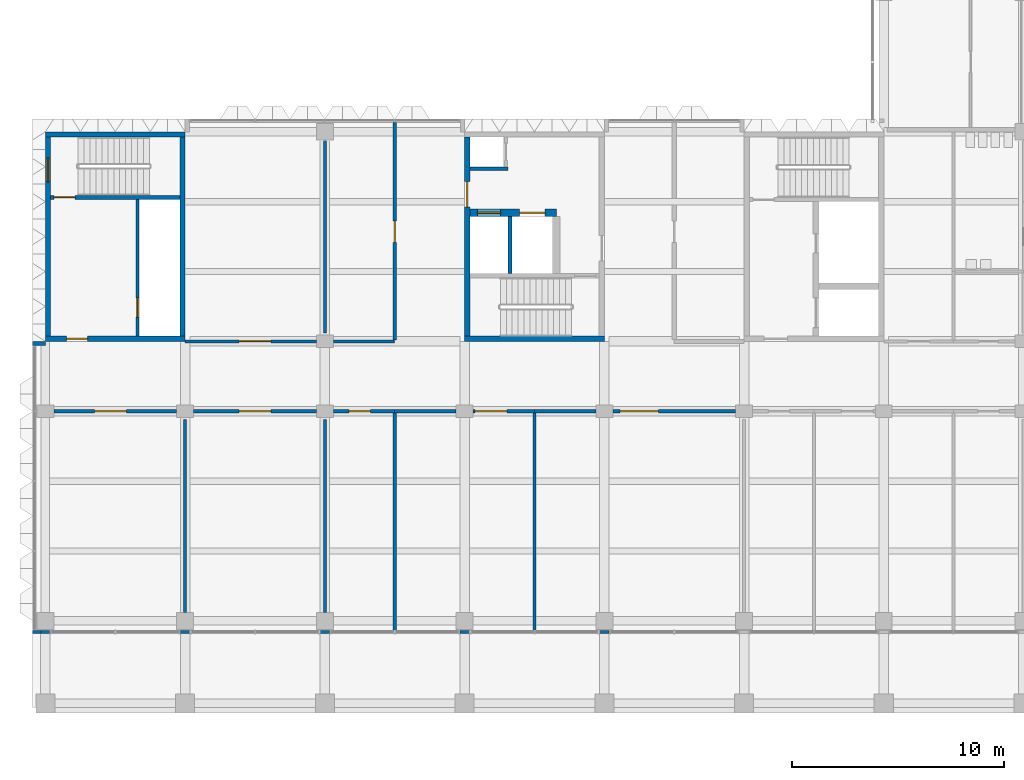
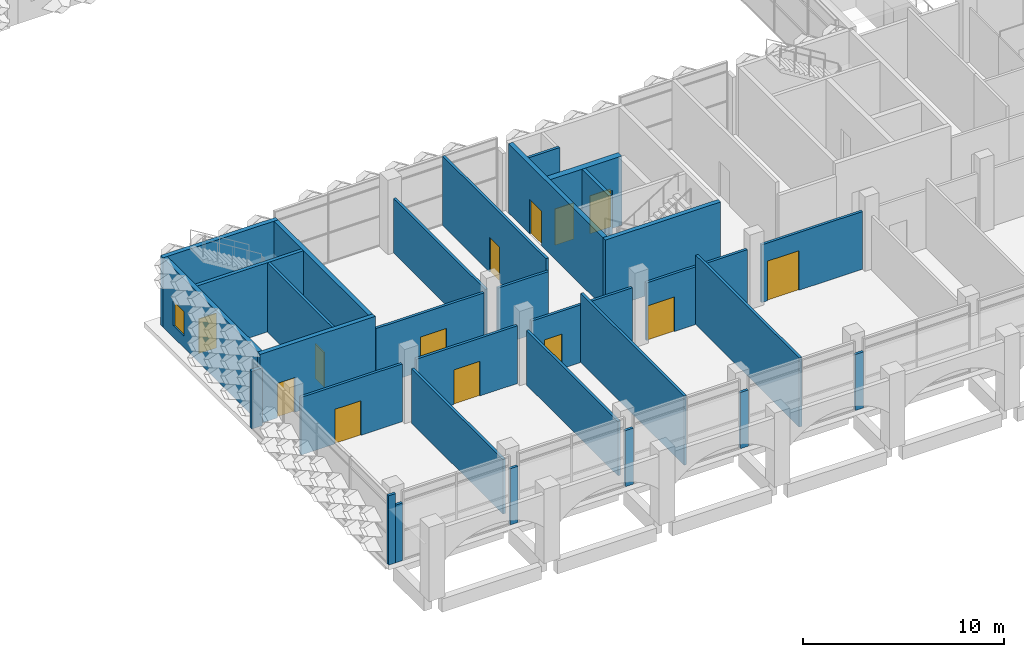
# One storey, part 26 of 87: 33 walls, 13 doors, 1 window, 14 openings.
"""IFC4 building model written with IfcOpenShell, lengths in metres."""

from ifc_helpers import new_model, si_unit, direction, frame, frame_2d, origin, place, context, subcontext, project, spatial, rectangle, extrude, material, layer, layer_set, type_object, element, fill, save


model = new_model("IFC4")

# Units and contexts
model_context = context("Model", 3, precision=1e-05, world=origin(), true_north=direction((0.0, 1.0)))
body_context = subcontext(model_context, "Body", "Model", "MODEL_VIEW")
ifc_project = project(units=[si_unit("LENGTHUNIT", "METRE"), si_unit("AREAUNIT", "SQUARE_METRE"), si_unit("VOLUMEUNIT", "CUBIC_METRE"), si_unit("PLANEANGLEUNIT", "RADIAN"), si_unit("MASSUNIT", "GRAM", prefix="KILO")], contexts=[model_context])

# Site, building, storey
site_placement = place(None, origin())
site = spatial("IfcSite", under=ifc_project, at=site_placement, CompositionType="ELEMENT")
building_placement = place(site_placement, origin())
building = spatial("IfcBuilding", under=site, at=building_placement, Name="Lantern Court Research Institute", CompositionType="ELEMENT")
storey_placement = place(building_placement, frame((0.0, 0.0, 5.39990234375)))
storey = spatial("IfcBuildingStorey", under=building, at=storey_placement, Name="L01", CompositionType="ELEMENT", Elevation=5.39990234375)

# Walls
ifc_material_1 = material(Name="Aluminium alloy 6063-T6", Category="aluminium")
ifc_layer_1 = layer(ifc_material_1, 0.14990234375)
ifc_layer_set_1 = layer_set([ifc_layer_1], Name="Aluminium alloy 6063-T6")
wall_type_1 = type_object("IfcWallType", Name="Entrance screen wall 150 aluminium", PredefinedType="STANDARD", material=ifc_layer_set_1)
wall_1_placement = place(storey_placement, frame((-0.199951171875, -0.52490234375, 0.0), z_axis=(0.0, 0.0, 1.0), x_axis=(-1.0, 0.0, 0.0)))
element("IfcWall", 1, at=wall_1_placement, inside=storey, type_object=wall_type_1, Name="Exterior wall EW096", PredefinedType="STANDARD", context=body_context, shape_type="SweptSolid", body=[
    extrude(rectangle(XDim=0.400146484375, YDim=0.14990234375, at=frame_2d((0.2001953125, 0.0))), origin(), (0.0, 0.0, 1.0), 4.2001953125),
])
wall_2_placement = place(storey_placement, frame((0.199951171875, -0.52490234375, 0.0), z_axis=(0.0, 0.0, 1.0), x_axis=(-1.0, 0.0, 0.0)))
element("IfcWall", 2, at=wall_2_placement, inside=storey, type_object=wall_type_1, Name="Exterior wall EW097", PredefinedType="STANDARD", context=body_context, shape_type="SweptSolid", body=[
    extrude(rectangle(XDim=0.39990234375, YDim=0.14990234375, at=frame_2d((0.199951171875, 0.0))), origin(), (0.0, 0.0, 1.0), 3.5),
])
for number, where, z_axis, x_axis, name in (
    (3, (6.824951171875, -0.52490234375, 0.0), (0.0, 0.0, 1.0), (-1.0, 0.0, 0.0), "Exterior wall EW098"),
    (4, (13.425048828125, -0.52490234375, 0.0), (0.0, 0.0, 1.0), (-1.0, 0.0, 0.0), "Exterior wall EW099"),
    (5, (20.02490234375, -0.52490234375, 0.0), (0.0, 0.0, 1.0), (-1.0, 0.0, 0.0), "Exterior wall EW100"),
    (6, (26.625, -0.52490234375, 0.0), (0.0, 0.0, 1.0), (-1.0, 0.0, 0.0), "Exterior wall EW101"),
):
    element("IfcWall", number, at=place(storey_placement, frame(where, z_axis=z_axis, x_axis=x_axis)), inside=storey, type_object=wall_type_1, Name=name, PredefinedType="STANDARD", context=body_context, shape_type="SweptSolid", body=[
        extrude(rectangle(XDim=0.449951171875, YDim=0.14990234375, at=frame_2d((0.22509765625, 0.0))), origin(), (0.0, 0.0, 1.0), 3.400146484375),
    ])

# Wall, opening, door
ifc_material_2 = material(Name="Fire-rated gypsum board partition, mineral wool filled")
ifc_layer_2 = layer(ifc_material_2, 0.14990234375)
ifc_layer_set_2 = layer_set([ifc_layer_2], Name="Fire-rated gypsum board partition, mineral wool filled")
wall_type_2 = type_object("IfcWallType", Name="Laboratory partition 150 EI 60", PredefinedType="PARTITIONING", material=ifc_layer_set_2)
wall_3_placement = place(storey_placement, frame((12.800048828125, 13.199951171875, 0.0), z_axis=(0.0, 0.0, 1.0), x_axis=(-1.0, 0.0, 0.0)))
wall_3 = element("IfcWall", 7, at=wall_3_placement, inside=storey, type_object=wall_type_2, Name="Laboratory partition 150 EI 60", PredefinedType="PARTITIONING", context=body_context, shape_type="SweptSolid", body=[
    extrude(rectangle(XDim=6.199951171875, YDim=0.14990234375, at=frame_2d((3.10009765625, 0.0))), origin(), (0.0, 0.0, 1.0), 3.5),
])
opening_1_placement = place(wall_3_placement, frame((2.14990234375, 0.0, 0.0)))
opening_1 = element("IfcOpeningElement", 8, at=opening_1_placement, cuts=wall_3, Name="Opening D4102", PredefinedType="OPENING", context=body_context, shape_type="SweptSolid", body=[
    extrude(rectangle(XDim=1.5, YDim=2.10009765625, at=frame_2d((0.75, 1.050048828125))), frame((0.0, 0.0849609375, 0.0), z_axis=(0.0, -1.0, 0.0), x_axis=(1.0, 0.0, 0.0)), (0.0, 0.0, 1.0), 0.169921875),
])
ifc_material_3 = material(Name="Solid-core timber door leaf with vision panel", Category="wood")
ifc_layer_3 = layer(ifc_material_3, 0.053955078125)
ifc_layer_set_3 = layer_set([ifc_layer_3], Name="Solid-core timber door leaf with vision panel")
door_type_1 = type_object("IfcDoorType", Name="Laboratory double door 1500 x 2100 pair FD30S", OperationType="DOUBLE_DOOR_SINGLE_SWING", PredefinedType="DOOR", material=ifc_layer_set_3)
door_1_placement = place(opening_1_placement, origin())
door_1 = element("IfcDoor", 9, at=door_1_placement, inside=storey, type_object=door_type_1, Name="Door D4102", OperationType="DOUBLE_DOOR_SINGLE_SWING", OverallHeight=2.10009765625, OverallWidth=1.5, PredefinedType="DOOR", context=body_context, shape_type="SweptSolid", body=[
    extrude(rectangle(XDim=1.5, YDim=2.10009765625, at=frame_2d((0.75, 1.050048828125))), frame((0.0, 0.02685546875, 0.0), z_axis=(0.0, -1.0, 0.0), x_axis=(1.0, 0.0, 0.0)), (0.0, 0.0, 1.0), 0.053955078125),
])
fill(opening_1, door_1)

# Wall
wall_4_placement = place(storey_placement, frame((16.5, 13.199951171875, 0.0), z_axis=(0.0, 0.0, 1.0), x_axis=(-1.0, 0.0, 0.0)))
element("IfcWall", 10, at=wall_4_placement, inside=storey, type_object=wall_type_2, Name="Laboratory partition 150 EI 60", PredefinedType="PARTITIONING", context=body_context, shape_type="SweptSolid", body=[
    extrude(rectangle(XDim=2.89990234375, YDim=0.14990234375, at=frame_2d((1.449951171875, 0.0))), origin(), (0.0, 0.0, 1.0), 3.5),
])

# Wall, opening, door
wall_5_placement = place(storey_placement, frame((0.39990234375, 9.89990234375, 0.0), z_axis=(0.0, 0.0, 1.0), x_axis=(1.0, 0.0, 0.0)))
wall_5 = element("IfcWall", 11, at=wall_5_placement, inside=storey, type_object=wall_type_2, Name="Laboratory partition 150 EI 60", PredefinedType="PARTITIONING", context=body_context, shape_type="SweptSolid", body=[
    extrude(rectangle(XDim=5.800048828125, YDim=0.14990234375, at=frame_2d((2.89990234375, 0.0))), origin(), (0.0, 0.0, 1.0), 3.5),
])
opening_2_placement = place(wall_5_placement, frame((1.925048828125, 0.0, 0.0)))
opening_2 = element("IfcOpeningElement", 12, at=opening_2_placement, cuts=wall_5, Name="Opening D4112", PredefinedType="OPENING", context=body_context, shape_type="SweptSolid", body=[
    extrude(rectangle(XDim=1.5, YDim=2.10009765625, at=frame_2d((0.75, 1.050048828125))), frame((0.0, 0.0849609375, 0.0), z_axis=(0.0, -1.0, 0.0), x_axis=(1.0, 0.0, 0.0)), (0.0, 0.0, 1.0), 0.169921875),
])
door_2_placement = place(opening_2_placement, origin())
door_2 = element("IfcDoor", 13, at=door_2_placement, inside=storey, type_object=door_type_1, Name="Door D4112", OperationType="DOUBLE_DOOR_SINGLE_SWING", OverallHeight=2.10009765625, OverallWidth=1.5, PredefinedType="DOOR", context=body_context, shape_type="SweptSolid", body=[
    extrude(rectangle(XDim=1.5, YDim=2.10009765625, at=frame_2d((0.75, 1.050048828125))), frame((0.0, 0.02685546875, 0.0), z_axis=(0.0, -1.0, 0.0), x_axis=(1.0, 0.0, 0.0)), (0.0, 0.0, 1.0), 0.053955078125),
])
fill(opening_2, door_2)

wall_6_placement = place(storey_placement, frame((7.0, 9.89990234375, 0.0), z_axis=(0.0, 0.0, 1.0), x_axis=(1.0, 0.0, 0.0)))
wall_6 = element("IfcWall", 14, at=wall_6_placement, inside=storey, type_object=wall_type_2, Name="Laboratory partition 150 EI 60", PredefinedType="PARTITIONING", context=body_context, shape_type="SweptSolid", body=[
    extrude(rectangle(XDim=5.800048828125, YDim=0.14990234375, at=frame_2d((2.89990234375, 0.0))), origin(), (0.0, 0.0, 1.0), 3.5),
])
opening_3_placement = place(wall_6_placement, frame((2.14990234375, 0.0, 0.0)))
opening_3 = element("IfcOpeningElement", 15, at=opening_3_placement, cuts=wall_6, Name="Opening D4113", PredefinedType="OPENING", context=body_context, shape_type="SweptSolid", body=[
    extrude(rectangle(XDim=1.5, YDim=2.10009765625, at=frame_2d((0.75, 1.050048828125))), frame((0.0, 0.0849609375, 0.0), z_axis=(0.0, -1.0, 0.0), x_axis=(1.0, 0.0, 0.0)), (0.0, 0.0, 1.0), 0.169921875),
])
door_3_placement = place(opening_3_placement, origin())
door_3 = element("IfcDoor", 16, at=door_3_placement, inside=storey, type_object=door_type_1, Name="Door D4113", OperationType="DOUBLE_DOOR_SINGLE_SWING", OverallHeight=2.10009765625, OverallWidth=1.5, PredefinedType="DOOR", context=body_context, shape_type="SweptSolid", body=[
    extrude(rectangle(XDim=1.5, YDim=2.10009765625, at=frame_2d((0.75, 1.050048828125))), frame((0.0, 0.02685546875, 0.0), z_axis=(0.0, -1.0, 0.0), x_axis=(1.0, 0.0, 0.0)), (0.0, 0.0, 1.0), 0.053955078125),
])
fill(opening_3, door_3)

wall_7_placement = place(storey_placement, frame((13.60009765625, 9.89990234375, 0.0), z_axis=(0.0, 0.0, 1.0), x_axis=(1.0, 0.0, 0.0)))
wall_7 = element("IfcWall", 17, at=wall_7_placement, inside=storey, type_object=wall_type_2, Name="Laboratory partition 150 EI 60", PredefinedType="PARTITIONING", context=body_context, shape_type="SweptSolid", body=[
    extrude(rectangle(XDim=2.89990234375, YDim=0.14990234375, at=frame_2d((1.449951171875, 0.0))), origin(), (0.0, 0.0, 1.0), 3.5),
])
opening_4_placement = place(wall_7_placement, frame((0.75, 0.0, 0.0)))
opening_4 = element("IfcOpeningElement", 18, at=opening_4_placement, cuts=wall_7, Name="Opening D4114", PredefinedType="OPENING", context=body_context, shape_type="SweptSolid", body=[
    extrude(rectangle(XDim=1.0, YDim=2.10009765625, at=frame_2d((0.5, 1.050048828125))), frame((0.0, 0.0849609375, 0.0), z_axis=(0.0, -1.0, 0.0), x_axis=(1.0, 0.0, 0.0)), (0.0, 0.0, 1.0), 0.169921875),
])
ifc_material_4 = material(Name="Solid-core timber door leaf with vision panel", Category="wood")
ifc_layer_4 = layer(ifc_material_4, 0.053955078125)
ifc_layer_set_4 = layer_set([ifc_layer_4], Name="Solid-core timber door leaf with vision panel")
door_type_2 = type_object("IfcDoorType", Name="Laboratory door 1000 x 2100 single FD30S", OperationType="NOTDEFINED", PredefinedType="DOOR", material=ifc_layer_set_4)
door_4_placement = place(opening_4_placement, origin())
door_4 = element("IfcDoor", 19, at=door_4_placement, inside=storey, type_object=door_type_2, Name="Door D4114", OperationType="SINGLE_SWING_LEFT", OverallHeight=2.10009765625, OverallWidth=1.0, PredefinedType="DOOR", context=body_context, shape_type="SweptSolid", body=[
    extrude(rectangle(XDim=1.0, YDim=2.10009765625, at=frame_2d((0.5, 1.050048828125))), frame((0.0, 0.02685546875, 0.0), z_axis=(0.0, -1.0, 0.0), x_axis=(1.0, 0.0, 0.0)), (0.0, 0.0, 1.0), 0.053955078125),
])
fill(opening_4, door_4)

# Wall
wall_8_placement = place(storey_placement, frame((16.5, 9.89990234375, 0.0), z_axis=(0.0, 0.0, 1.0), x_axis=(1.0, 0.0, 0.0)))
element("IfcWall", 20, at=wall_8_placement, inside=storey, type_object=wall_type_2, Name="Laboratory partition 150 EI 60", PredefinedType="PARTITIONING", context=body_context, shape_type="SweptSolid", body=[
    extrude(rectangle(XDim=2.89990234375, YDim=0.14990234375, at=frame_2d((1.449951171875, 0.0))), origin(), (0.0, 0.0, 1.0), 3.5),
])

# Wall, opening, door
wall_9_placement = place(storey_placement, frame((20.199951171875, 9.89990234375, 0.0), z_axis=(0.0, 0.0, 1.0), x_axis=(1.0, 0.0, 0.0)))
wall_9 = element("IfcWall", 21, at=wall_9_placement, inside=storey, type_object=wall_type_2, Name="Laboratory partition 150 EI 60", PredefinedType="PARTITIONING", context=body_context, shape_type="SweptSolid", body=[
    extrude(rectangle(XDim=2.900146484375, YDim=0.14990234375, at=frame_2d((1.4501953125, 0.0))), origin(), (0.0, 0.0, 1.0), 3.5),
])
opening_5_placement = place(wall_9_placement, frame((0.10009765625, 0.0, 0.0)))
opening_5 = element("IfcOpeningElement", 22, at=opening_5_placement, cuts=wall_9, Name="Opening D4115", PredefinedType="OPENING", context=body_context, shape_type="SweptSolid", body=[
    extrude(rectangle(XDim=1.5, YDim=2.10009765625, at=frame_2d((0.75, 1.050048828125))), frame((0.0, 0.0849609375, 0.0), z_axis=(0.0, -1.0, 0.0), x_axis=(1.0, 0.0, 0.0)), (0.0, 0.0, 1.0), 0.169921875),
])
door_5_placement = place(opening_5_placement, origin())
door_5 = element("IfcDoor", 23, at=door_5_placement, inside=storey, type_object=door_type_1, Name="Door D4115", OperationType="DOUBLE_DOOR_SINGLE_SWING", OverallHeight=2.10009765625, OverallWidth=1.5, PredefinedType="DOOR", context=body_context, shape_type="SweptSolid", body=[
    extrude(rectangle(XDim=1.5, YDim=2.10009765625, at=frame_2d((0.75, 1.050048828125))), frame((0.0, 0.02685546875, 0.0), z_axis=(0.0, -1.0, 0.0), x_axis=(1.0, 0.0, 0.0)), (0.0, 0.0, 1.0), 0.053955078125),
])
fill(opening_5, door_5)

# Wall
wall_10_placement = place(storey_placement, frame((23.10009765625, 9.89990234375, 0.0), z_axis=(0.0, 0.0, 1.0), x_axis=(1.0, 0.0, 0.0)))
element("IfcWall", 24, at=wall_10_placement, inside=storey, type_object=wall_type_2, Name="Laboratory partition 150 EI 60", PredefinedType="PARTITIONING", context=body_context, shape_type="SweptSolid", body=[
    extrude(rectangle(XDim=2.89990234375, YDim=0.14990234375, at=frame_2d((1.449951171875, 0.0))), origin(), (0.0, 0.0, 1.0), 3.5),
])

# Wall, opening, door
wall_11_placement = place(storey_placement, frame((26.800048828125, 9.89990234375, 0.0), z_axis=(0.0, 0.0, 1.0), x_axis=(1.0, 0.0, 0.0)))
wall_11 = element("IfcWall", 25, at=wall_11_placement, inside=storey, type_object=wall_type_2, Name="Laboratory partition 150 EI 60", PredefinedType="PARTITIONING", context=body_context, shape_type="SweptSolid", body=[
    extrude(rectangle(XDim=5.800048828125, YDim=0.14990234375, at=frame_2d((2.89990234375, 0.0))), origin(), (0.0, 0.0, 1.0), 3.5),
])
opening_6_placement = place(wall_11_placement, frame((0.35009765625, 0.0, 0.0)))
opening_6 = element("IfcOpeningElement", 26, at=opening_6_placement, cuts=wall_11, Name="Opening D4116", PredefinedType="OPENING", context=body_context, shape_type="SweptSolid", body=[
    extrude(rectangle(XDim=1.800048828125, YDim=2.39990234375, at=frame_2d((0.89990234375, 1.199951171875))), frame((0.0, 0.0849609375, 0.0), z_axis=(0.0, -1.0, 0.0), x_axis=(1.0, 0.0, 0.0)), (0.0, 0.0, 1.0), 0.169921875),
])
ifc_material_5 = material(Name="Solid-core timber door leaf with vision panel", Category="wood")
ifc_layer_5 = layer(ifc_material_5, 0.053955078125)
ifc_layer_set_5 = layer_set([ifc_layer_5], Name="Solid-core timber door leaf with vision panel")
door_type_3 = type_object("IfcDoorType", Name="Laboratory equipment door 1800 x 2400 pair FD30S", OperationType="DOUBLE_DOOR_SINGLE_SWING", PredefinedType="DOOR", material=ifc_layer_set_5)
door_6_placement = place(opening_6_placement, origin())
door_6 = element("IfcDoor", 27, at=door_6_placement, inside=storey, type_object=door_type_3, Name="Door D4116", OperationType="DOUBLE_DOOR_SINGLE_SWING", OverallHeight=2.39990234375, OverallWidth=1.800048828125, PredefinedType="DOOR", context=body_context, shape_type="SweptSolid", body=[
    extrude(rectangle(XDim=1.800048828125, YDim=2.39990234375, at=frame_2d((0.89990234375, 1.199951171875))), frame((0.0, 0.02685546875, 0.0), z_axis=(0.0, -1.0, 0.0), x_axis=(1.0, 0.0, 0.0)), (0.0, 0.0, 1.0), 0.053955078125),
])
fill(opening_6, door_6)

# Wall
wall_12_placement = place(storey_placement, frame((13.199951171875, 13.60009765625, 0.0), z_axis=(0.0, 0.0, 1.0), x_axis=(0.0, 1.0, 0.0)))
element("IfcWall", 28, at=wall_12_placement, inside=storey, type_object=wall_type_2, Name="Laboratory partition 150 EI 60", PredefinedType="PARTITIONING", context=body_context, shape_type="SweptSolid", body=[
    extrude(rectangle(XDim=9.099853515625, YDim=0.14990234375, at=frame_2d((4.5498046875, 0.0))), origin(), (0.0, 0.0, 1.0), 3.300048828125),
])

# Wall, opening, door
wall_13_placement = place(storey_placement, frame((16.5, 13.27490234375, 0.0), z_axis=(0.0, 0.0, 1.0), x_axis=(0.0, 1.0, 0.0)))
wall_13 = element("IfcWall", 29, at=wall_13_placement, inside=storey, type_object=wall_type_2, Name="Laboratory partition 150 EI 60", PredefinedType="PARTITIONING", context=body_context, shape_type="SweptSolid", body=[
    extrude(rectangle(XDim=10.275146484375, YDim=0.14990234375, at=frame_2d((5.1376953125, 0.0))), origin(), (0.0, 0.0, 1.0), 4.2001953125),
])
opening_7_placement = place(wall_13_placement, frame((4.60009765625, 0.0, 0.0)))
opening_7 = element("IfcOpeningElement", 30, at=opening_7_placement, cuts=wall_13, Name="Opening D4103", PredefinedType="OPENING", context=body_context, shape_type="SweptSolid", body=[
    extrude(rectangle(XDim=1.0, YDim=2.10009765625, at=frame_2d((0.5, 1.050048828125))), frame((0.0, 0.0849609375, 0.0), z_axis=(0.0, -1.0, 0.0), x_axis=(1.0, 0.0, 0.0)), (0.0, 0.0, 1.0), 0.169921875),
])
ifc_material_6 = material(Name="Solid-core timber door leaf", Category="wood")
ifc_layer_6 = layer(ifc_material_6, 0.053955078125)
ifc_layer_set_6 = layer_set([ifc_layer_6], Name="Solid-core timber door leaf")
door_type_4 = type_object("IfcDoorType", Name="Washing room door 1000 x 2100 single FD30S", OperationType="NOTDEFINED", PredefinedType="DOOR", material=ifc_layer_set_6)
door_7_placement = place(opening_7_placement, origin())
door_7 = element("IfcDoor", 31, at=door_7_placement, inside=storey, type_object=door_type_4, Name="Door D4103", OperationType="SINGLE_SWING_LEFT", OverallHeight=2.10009765625, OverallWidth=1.0, PredefinedType="DOOR", context=body_context, shape_type="SweptSolid", body=[
    extrude(rectangle(XDim=1.0, YDim=2.10009765625, at=frame_2d((0.5, 1.050048828125))), frame((0.0, 0.02685546875, 0.0), z_axis=(0.0, -1.0, 0.0), x_axis=(1.0, 0.0, 0.0)), (0.0, 0.0, 1.0), 0.053955078125),
])
fill(opening_7, door_7)

# Walls
for number, where, z_axis, x_axis, name in (
    (32, (6.60009765625, 0.39990234375, 0.0), (0.0, 0.0, 1.0), (0.0, 1.0, 0.0), "Laboratory partition 150 EI 60"),
    (33, (13.199951171875, 0.39990234375, 0.0), (0.0, 0.0, 1.0), (0.0, 1.0, 0.0), "Laboratory partition 150 EI 60"),
):
    element("IfcWall", number, at=place(storey_placement, frame(where, z_axis=z_axis, x_axis=x_axis)), inside=storey, type_object=wall_type_2, Name=name, PredefinedType="PARTITIONING", context=body_context, shape_type="SweptSolid", body=[
        extrude(rectangle(XDim=9.10009765625, YDim=0.14990234375, at=frame_2d((4.550048828125, 0.0))), origin(), (0.0, 0.0, 1.0), 3.300048828125),
    ])
for number, where, z_axis, x_axis, name in (
    (34, (16.5, -0.449951171875, 0.0), (0.0, 0.0, 1.0), (0.0, 1.0, 0.0), "Laboratory partition 150 EI 60"),
    (35, (23.10009765625, -0.449951171875, 0.0), (0.0, 0.0, 1.0), (0.0, 1.0, 0.0), "Laboratory partition 150 EI 60"),
):
    element("IfcWall", number, at=place(storey_placement, frame(where, z_axis=z_axis, x_axis=x_axis)), inside=storey, type_object=wall_type_2, Name=name, PredefinedType="PARTITIONING", context=body_context, shape_type="SweptSolid", body=[
        extrude(rectangle(XDim=10.27490234375, YDim=0.14990234375, at=frame_2d((5.137451171875, 0.0))), origin(), (0.0, 0.0, 1.0), 4.2001953125),
    ])

# Wall, opening, door
ifc_material_7 = material(Name="Concrete C40/50", Category="concrete")
ifc_layer_7 = layer(ifc_material_7, 0.25)
ifc_layer_set_7 = layer_set([ifc_layer_7], Name="Concrete C40/50")
wall_type_3 = type_object("IfcWallType", Name="RC core wall 250", PredefinedType="SHEAR", material=ifc_layer_set_7)
wall_14_placement = place(storey_placement, frame((0.0, 13.324951171875, 0.0), z_axis=(0.0, 0.0, 1.0), x_axis=(1.0, 0.0, 0.0)))
wall_14 = element("IfcWall", 36, at=wall_14_placement, inside=storey, type_object=wall_type_3, Name="South wall of core BC-W", PredefinedType="SHEAR", context=body_context, shape_type="SweptSolid", body=[
    extrude(rectangle(XDim=6.60009765625, YDim=0.25, at=frame_2d((3.300048828125, 0.0))), origin(), (0.0, 0.0, 1.0), 4.2001953125),
])
opening_8_placement = place(wall_14_placement, frame((1.0, 0.0, 0.0)))
opening_8 = element("IfcOpeningElement", 37, at=opening_8_placement, cuts=wall_14, Name="Opening D7009", PredefinedType="OPENING", context=body_context, shape_type="SweptSolid", body=[
    extrude(rectangle(XDim=1.0, YDim=2.10009765625, at=frame_2d((0.5, 1.050048828125))), frame((0.0, 0.135009765625, 0.0), z_axis=(0.0, -1.0, 0.0), x_axis=(1.0, 0.0, 0.0)), (0.0, 0.0, 1.0), 0.27001953125),
])
ifc_material_8 = material(Name="Steel fire door leaf with smoke seals", Category="steel")
door_type_5 = type_object("IfcDoorType", Name="Door 1000 x 2100 fire rated FD60S", OperationType="NOTDEFINED", PredefinedType="DOOR", material=ifc_material_8)
door_8_placement = place(opening_8_placement, origin())
door_8 = element("IfcDoor", 38, at=door_8_placement, inside=storey, type_object=door_type_5, Name="Lobby door", OperationType="SINGLE_SWING_RIGHT", OverallHeight=2.10009765625, OverallWidth=1.0, PredefinedType="DOOR", context=body_context, shape_type="SweptSolid", body=[
    extrude(rectangle(XDim=1.0, YDim=2.10009765625, at=frame_2d((0.5, 1.050048828125))), frame((0.0, 0.02490234375, 0.0), z_axis=(0.0, -1.0, 0.0), x_axis=(1.0, 0.0, 0.0)), (0.0, 0.0, 1.0), 0.050048828125),
])
fill(opening_8, door_8)

# Walls
wall_15_placement = place(storey_placement, frame((6.47509765625, 13.449951171875, 0.0), z_axis=(0.0, 0.0, 1.0), x_axis=(0.0, 1.0, 0.0)))
element("IfcWall", 39, at=wall_15_placement, inside=storey, type_object=wall_type_3, Name="East wall of core BC-W", PredefinedType="SHEAR", context=body_context, shape_type="SweptSolid", body=[
    extrude(rectangle(XDim=9.400146484375, YDim=0.25, at=frame_2d((4.7001953125, 0.0))), origin(), (0.0, 0.0, 1.0), 4.2001953125),
])
wall_16_placement = place(storey_placement, frame((19.800048828125, 13.324951171875, 0.0), z_axis=(0.0, 0.0, 1.0), x_axis=(1.0, 0.0, 0.0)))
element("IfcWall", 40, at=wall_16_placement, inside=storey, type_object=wall_type_3, Name="South wall of core BC-M", PredefinedType="SHEAR", context=body_context, shape_type="SweptSolid", body=[
    extrude(rectangle(XDim=6.599853515625, YDim=0.25, at=frame_2d((3.2998046875, 0.0))), origin(), (0.0, 0.0, 1.0), 4.2001953125),
])

# Wall, opening, door
wall_17_placement = place(storey_placement, frame((19.925048828125, 13.449951171875, 0.0), z_axis=(0.0, 0.0, 1.0), x_axis=(0.0, 1.0, 0.0)))
wall_17 = element("IfcWall", 41, at=wall_17_placement, inside=storey, type_object=wall_type_3, Name="West wall of core BC-M", PredefinedType="SHEAR", context=body_context, shape_type="SweptSolid", body=[
    extrude(rectangle(XDim=9.400146484375, YDim=0.25, at=frame_2d((4.7001953125, 0.0))), origin(), (0.0, 0.0, 1.0), 4.2001953125),
])
opening_9_placement = place(wall_17_placement, frame((6.10009765625, 0.0, 0.0)))
opening_9 = element("IfcOpeningElement", 42, at=opening_9_placement, cuts=wall_17, Name="Opening D7037", PredefinedType="OPENING", context=body_context, shape_type="SweptSolid", body=[
    extrude(rectangle(XDim=1.199951171875, YDim=2.10009765625, at=frame_2d((0.60009765625, 1.050048828125))), frame((0.0, 0.135009765625, 0.0), z_axis=(0.0, -1.0, 0.0), x_axis=(1.0, 0.0, 0.0)), (0.0, 0.0, 1.0), 0.27001953125),
])
ifc_material_9 = material(Name="Steel fire door leaf with smoke seals", Category="steel")
door_type_6 = type_object("IfcDoorType", Name="Door 1200 x 2100 fire rated FD60S", OperationType="NOTDEFINED", PredefinedType="DOOR", material=ifc_material_9)
door_9_placement = place(opening_9_placement, origin())
door_9 = element("IfcDoor", 43, at=door_9_placement, inside=storey, type_object=door_type_6, Name="Lobby door", OperationType="SINGLE_SWING_LEFT", OverallHeight=2.10009765625, OverallWidth=1.199951171875, PredefinedType="DOOR", context=body_context, shape_type="SweptSolid", body=[
    extrude(rectangle(XDim=1.199951171875, YDim=2.10009765625, at=frame_2d((0.60009765625, 1.050048828125))), frame((0.0, 0.02490234375, 0.0), z_axis=(0.0, -1.0, 0.0), x_axis=(1.0, 0.0, 0.0)), (0.0, 0.0, 1.0), 0.050048828125),
])
fill(opening_9, door_9)

# Wall
ifc_material_10 = material(Name="Concrete C40/50", Category="concrete")
ifc_layer_8 = layer(ifc_material_10, 0.25)
ifc_layer_set_8 = layer_set([ifc_layer_8], Name="Concrete C40/50")
wall_type_4 = type_object("IfcWallType", Name="RC core wall 250 facade", PredefinedType="SHEAR", material=ifc_layer_set_8)
wall_18_placement = place(storey_placement, frame((0.0, 22.97509765625, 0.0), z_axis=(0.0, 0.0, 1.0), x_axis=(1.0, 0.0, 0.0)))
element("IfcWall", 44, at=wall_18_placement, inside=storey, type_object=wall_type_4, Name="North wall of core BC-W", PredefinedType="SHEAR", context=body_context, shape_type="SweptSolid", body=[
    extrude(rectangle(XDim=6.60009765625, YDim=0.25, at=frame_2d((3.300048828125, 0.0))), origin(), (0.0, 0.0, 1.0), 4.2001953125),
])

# Wall, opening, window
wall_19_placement = place(storey_placement, frame((0.125, 13.449951171875, 0.0), z_axis=(0.0, 0.0, 1.0), x_axis=(0.0, 1.0, 0.0)))
wall_19 = element("IfcWall", 45, at=wall_19_placement, inside=storey, type_object=wall_type_4, Name="West wall of core BC-W", PredefinedType="SHEAR", context=body_context, shape_type="SweptSolid", body=[
    extrude(rectangle(XDim=9.400146484375, YDim=0.25, at=frame_2d((4.7001953125, 0.0))), origin(), (0.0, 0.0, 1.0), 4.2001953125),
])
opening_10_placement = place(wall_19_placement, frame((7.300048828125, 0.0, 0.699951171875)))
opening_10 = element("IfcOpeningElement", 46, at=opening_10_placement, cuts=wall_19, Name="Opening W5", PredefinedType="OPENING", context=body_context, shape_type="SweptSolid", body=[
    extrude(rectangle(XDim=1.10009765625, YDim=1.5, at=frame_2d((0.550048828125, 0.75))), frame((0.0, 0.135009765625, 0.0), z_axis=(0.0, -1.0, 0.0), x_axis=(1.0, 0.0, 0.0)), (0.0, 0.0, 1.0), 0.27001953125),
])
ifc_material_11 = material(Name="Aluminium alloy 6063-T6 frame with laminated glass", Category="aluminium")
window_type = type_object("IfcWindowType", Name="Stair window 1100 x 1500", PartitioningType="SINGLE_PANEL", PredefinedType="WINDOW", material=ifc_material_11)
window_placement = place(opening_10_placement, origin())
window = element("IfcWindow", 47, at=window_placement, inside=storey, type_object=window_type, Name="Stair window", OverallHeight=1.5, OverallWidth=1.10009765625, PartitioningType="SINGLE_PANEL", PredefinedType="WINDOW", context=body_context, shape_type="SweptSolid", body=[
    extrude(rectangle(XDim=1.10009765625, YDim=1.5, at=frame_2d((0.550048828125, 0.75))), frame((0.0, 0.030029296875, 0.0), z_axis=(0.0, -1.0, 0.0), x_axis=(1.0, 0.0, 0.0)), (0.0, 0.0, 1.0), 0.06005859375),
])
fill(opening_10, window)

# Wall, opening, door
ifc_material_12 = material(Name="Concrete C40/50", Category="concrete")
ifc_layer_9 = layer(ifc_material_12, 0.14990234375)
ifc_layer_set_9 = layer_set([ifc_layer_9], Name="Concrete C40/50")
wall_type_5 = type_object("IfcWallType", Name="RC shaft wall 150", PredefinedType="SHEAR", material=ifc_layer_set_9)
wall_20_placement = place(storey_placement, frame((4.35009765625, 13.449951171875, 0.0), z_axis=(0.0, 0.0, 1.0), x_axis=(0.0, 1.0, 0.0)))
wall_20 = element("IfcWall", 48, at=wall_20_placement, inside=storey, type_object=wall_type_5, Name="Riser wall of core BC-W", PredefinedType="SHEAR", context=body_context, shape_type="SweptSolid", body=[
    extrude(rectangle(XDim=6.449951171875, YDim=0.14990234375, at=frame_2d((3.22509765625, 0.0))), origin(), (0.0, 0.0, 1.0), 4.2001953125),
])
opening_11_placement = place(wall_20_placement, frame((0.89990234375, 0.0, 0.0)))
opening_11 = element("IfcOpeningElement", 49, at=opening_11_placement, cuts=wall_20, Name="Opening D7008", PredefinedType="OPENING", context=body_context, shape_type="SweptSolid", body=[
    extrude(rectangle(XDim=0.89990234375, YDim=2.10009765625, at=frame_2d((0.449951171875, 1.050048828125))), frame((0.0, 0.0849609375, 0.0), z_axis=(0.0, -1.0, 0.0), x_axis=(1.0, 0.0, 0.0)), (0.0, 0.0, 1.0), 0.169921875),
])
ifc_material_13 = material(Name="Steel fire door leaf", Category="steel")
door_type_7 = type_object("IfcDoorType", Name="Door 900 x 2100 fire rated FD60", OperationType="NOTDEFINED", PredefinedType="DOOR", material=ifc_material_13)
door_10_placement = place(opening_11_placement, origin())
door_10 = element("IfcDoor", 50, at=door_10_placement, inside=storey, type_object=door_type_7, Name="Riser door", OperationType="SINGLE_SWING_RIGHT", OverallHeight=2.10009765625, OverallWidth=0.89990234375, PredefinedType="DOOR", context=body_context, shape_type="SweptSolid", body=[
    extrude(rectangle(XDim=0.89990234375, YDim=2.10009765625, at=frame_2d((0.449951171875, 1.050048828125))), frame((0.0, 0.02490234375, 0.0), z_axis=(0.0, -1.0, 0.0), x_axis=(1.0, 0.0, 0.0)), (0.0, 0.0, 1.0), 0.050048828125),
])
fill(opening_11, door_10)

# Wall
wall_21_placement = place(storey_placement, frame((20.050048828125, 21.35009765625, 0.0), z_axis=(0.0, 0.0, 1.0), x_axis=(1.0, 0.0, 0.0)))
element("IfcWall", 51, at=wall_21_placement, inside=storey, type_object=wall_type_5, Name="Riser wall of core BC-M", PredefinedType="SHEAR", context=body_context, shape_type="SweptSolid", body=[
    extrude(rectangle(XDim=1.800048828125, YDim=0.14990234375, at=frame_2d((0.89990234375, 0.0))), origin(), (0.0, 0.0, 1.0), 4.2001953125),
])

# Wall, opening, door
ifc_material_14 = material(Name="Concrete C40/50", Category="concrete")
ifc_layer_10 = layer(ifc_material_14, 0.199951171875)
ifc_layer_set_10 = layer_set([ifc_layer_10], Name="Concrete C40/50")
wall_type_6 = type_object("IfcWallType", Name="RC shaft wall 200", PredefinedType="SHEAR", material=ifc_layer_set_10)
wall_22_placement = place(storey_placement, frame((0.25, 20.0, 0.0), z_axis=(0.0, 0.0, 1.0), x_axis=(1.0, 0.0, 0.0)))
wall_22 = element("IfcWall", 52, at=wall_22_placement, inside=storey, type_object=wall_type_6, Name="Stair wall of core BC-W", PredefinedType="SHEAR", context=body_context, shape_type="SweptSolid", body=[
    extrude(rectangle(XDim=6.10009765625, YDim=0.199951171875, at=frame_2d((3.050048828125, 0.0))), origin(), (0.0, 0.0, 1.0), 4.2001953125),
])
opening_12_placement = place(wall_22_placement, frame((0.14990234375, 0.0, 0.0)))
opening_12 = element("IfcOpeningElement", 53, at=opening_12_placement, cuts=wall_22, Name="Opening D7010", PredefinedType="OPENING", context=body_context, shape_type="SweptSolid", body=[
    extrude(rectangle(XDim=1.0, YDim=2.10009765625, at=frame_2d((0.5, 1.050048828125))), frame((0.0, 0.10986328125, 0.0), z_axis=(0.0, -1.0, 0.0), x_axis=(1.0, 0.0, 0.0)), (0.0, 0.0, 1.0), 0.219970703125),
])
door_11_placement = place(opening_12_placement, origin())
door_11 = element("IfcDoor", 54, at=door_11_placement, inside=storey, type_object=door_type_5, Name="Stair door", OperationType="SINGLE_SWING_RIGHT", OverallHeight=2.10009765625, OverallWidth=1.0, PredefinedType="DOOR", context=body_context, shape_type="SweptSolid", body=[
    extrude(rectangle(XDim=1.0, YDim=2.10009765625, at=frame_2d((0.5, 1.050048828125))), frame((0.0, 0.02490234375, 0.0), z_axis=(0.0, -1.0, 0.0), x_axis=(1.0, 0.0, 0.0)), (0.0, 0.0, 1.0), 0.050048828125),
])
fill(opening_12, door_11)

# Wall
wall_23_placement = place(storey_placement, frame((21.949951171875, 16.39990234375, 0.0), z_axis=(0.0, 0.0, 1.0), x_axis=(0.0, 1.0, 0.0)))
element("IfcWall", 55, at=wall_23_placement, inside=storey, type_object=wall_type_6, Name="Lift shaft wall of core BC-M", PredefinedType="SHEAR", context=body_context, shape_type="SweptSolid", body=[
    extrude(rectangle(XDim=2.7001953125, YDim=0.199951171875, at=frame_2d((1.35009765625, 0.0))), origin(), (0.0, 0.0, 1.0), 4.2001953125),
])

# Wall, openings, doors
ifc_material_15 = material(Name="Concrete C40/50", Category="concrete")
ifc_layer_11 = layer(ifc_material_15, 0.35009765625)
ifc_layer_set_11 = layer_set([ifc_layer_11], Name="Concrete C40/50")
wall_type_7 = type_object("IfcWallType", Name="RC shaft wall 350", PredefinedType="SHEAR", material=ifc_layer_set_11)
wall_24_placement = place(storey_placement, frame((20.050048828125, 19.27490234375, 0.0), z_axis=(0.0, 0.0, 1.0), x_axis=(1.0, 0.0, 0.0)))
wall_24 = element("IfcWall", 56, at=wall_24_placement, inside=storey, type_object=wall_type_7, Name="Lift shaft wall of core BC-M", PredefinedType="SHEAR", context=body_context, shape_type="SweptSolid", body=[
    extrude(rectangle(XDim=4.099853515625, YDim=0.35009765625, at=frame_2d((2.0498046875, 0.0))), origin(), (0.0, 0.0, 1.0), 4.2001953125),
])
opening_13_placement = place(wall_24_placement, frame((0.35009765625, 0.0, 0.0)))
opening_13 = element("IfcOpeningElement", 57, at=opening_13_placement, cuts=wall_24, Name="Opening D7040", PredefinedType="OPENING", context=body_context, shape_type="SweptSolid", body=[
    extrude(rectangle(XDim=1.10009765625, YDim=2.199951171875, at=frame_2d((0.550048828125, 1.10009765625))), frame((0.0, 0.18505859375, 0.0), z_axis=(0.0, -1.0, 0.0), x_axis=(1.0, 0.0, 0.0)), (0.0, 0.0, 1.0), 0.3701171875),
])
opening_14_placement = place(wall_24_placement, frame((2.35009765625, 0.0, 0.0)))
opening_14 = element("IfcOpeningElement", 58, at=opening_14_placement, cuts=wall_24, Name="Opening D7041", PredefinedType="OPENING", context=body_context, shape_type="SweptSolid", body=[
    extrude(rectangle(XDim=1.199951171875, YDim=2.300048828125, at=frame_2d((0.60009765625, 1.14990234375))), frame((0.0, 0.18505859375, 0.0), z_axis=(0.0, -1.0, 0.0), x_axis=(1.0, 0.0, 0.0)), (0.0, 0.0, 1.0), 0.3701171875),
])
ifc_material_16 = material(Name="Stainless steel landing door panels", Category="steel")
door_type_8 = type_object("IfcDoorType", Name="Lift landing door 1100 x 2200 sliding FD60", OperationType="DOUBLE_DOOR_SLIDING", PredefinedType="NOTDEFINED", material=ifc_material_16)
door_12_placement = place(opening_13_placement, origin())
door_12 = element("IfcDoor", 59, at=door_12_placement, inside=storey, type_object=door_type_8, Name="Landing door", OperationType="DOUBLE_DOOR_SLIDING", OverallHeight=2.199951171875, OverallWidth=1.10009765625, PredefinedType="NOTDEFINED", context=body_context, shape_type="SweptSolid", body=[
    extrude(rectangle(XDim=1.10009765625, YDim=2.199951171875, at=frame_2d((0.550048828125, 1.10009765625))), frame((0.0, 0.02490234375, 0.0), z_axis=(0.0, -1.0, 0.0), x_axis=(1.0, 0.0, 0.0)), (0.0, 0.0, 1.0), 0.050048828125),
])
fill(opening_13, door_12)
ifc_material_17 = material(Name="Stainless steel landing door panels", Category="steel")
door_type_9 = type_object("IfcDoorType", Name="Lift landing door 1200 x 2300 sliding FD60", OperationType="DOUBLE_DOOR_SLIDING", PredefinedType="NOTDEFINED", material=ifc_material_17)
door_13_placement = place(opening_14_placement, origin())
door_13 = element("IfcDoor", 60, at=door_13_placement, inside=storey, type_object=door_type_9, Name="Landing door", OperationType="DOUBLE_DOOR_SLIDING", OverallHeight=2.300048828125, OverallWidth=1.199951171875, PredefinedType="NOTDEFINED", context=body_context, shape_type="SweptSolid", body=[
    extrude(rectangle(XDim=1.199951171875, YDim=2.300048828125, at=frame_2d((0.60009765625, 1.14990234375))), frame((0.0, 0.02490234375, 0.0), z_axis=(0.0, -1.0, 0.0), x_axis=(1.0, 0.0, 0.0)), (0.0, 0.0, 1.0), 0.050048828125),
])
fill(opening_14, door_13)

# Wall
ifc_material_18 = material(Name="Concrete C40/50", Category="concrete")
ifc_layer_12 = layer(ifc_material_18, 0.199951171875)
ifc_layer_set_12 = layer_set([ifc_layer_12], Name="Concrete C40/50")
wall_type_8 = type_object("IfcWallType", Name="Return wall 200 concrete EI 120 aluminium faced", PredefinedType="STANDARD", material=ifc_layer_set_12)
wall_25_placement = place(storey_placement, frame((0.0, 13.10009765625, 0.0), z_axis=(0.0, 0.0, 1.0), x_axis=(-1.0, 0.0, 0.0)))
element("IfcWall", 61, at=wall_25_placement, inside=storey, type_object=wall_type_8, Name="Core return wall 18", PredefinedType="STANDARD", context=body_context, shape_type="SweptSolid", body=[
    extrude(rectangle(XDim=0.60009765625, YDim=0.199951171875, at=frame_2d((0.300048828125, 0.0))), origin(), (0.0, 0.0, 1.0), 3.5),
])

save(model, "model.ifc")
